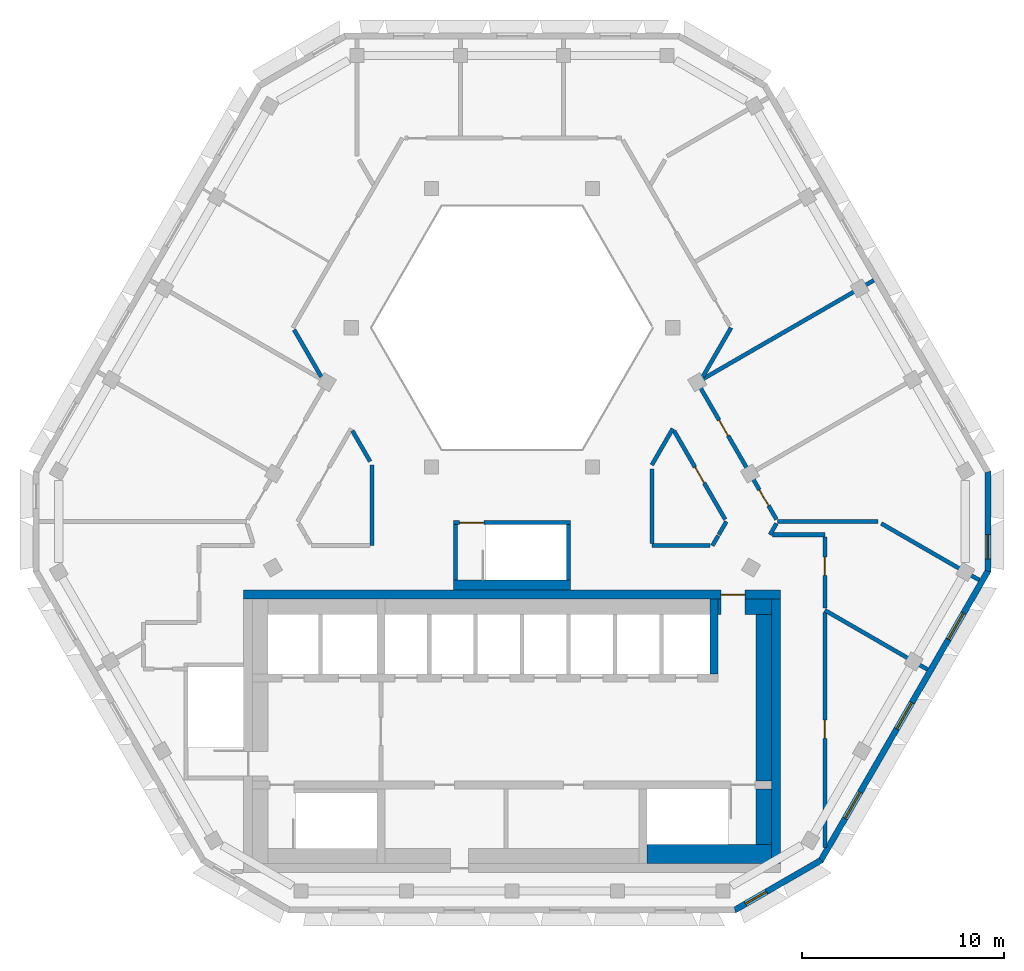
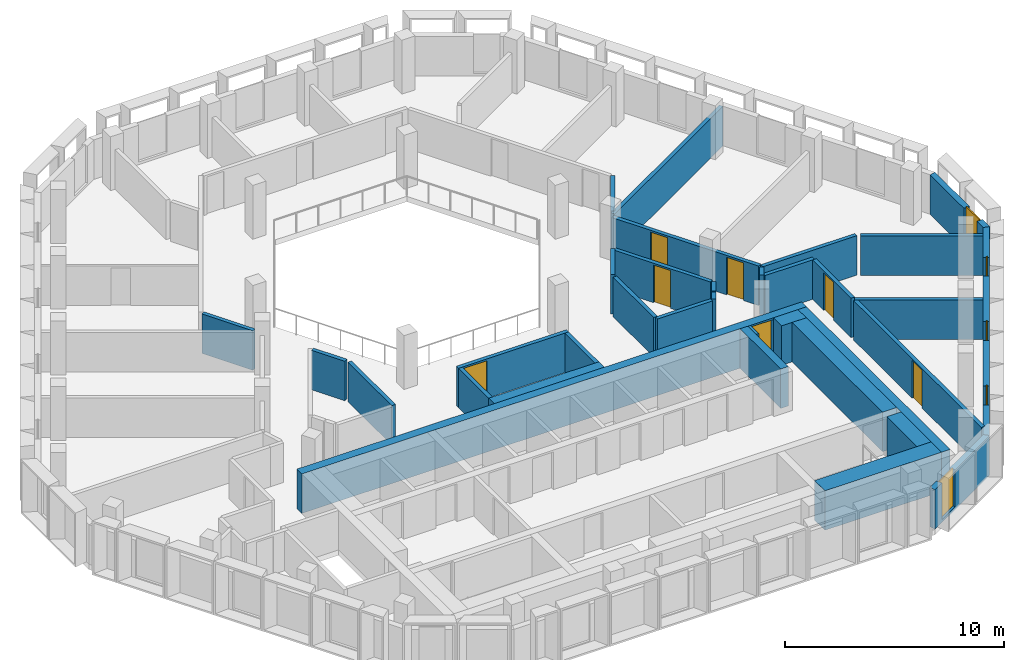
# One storey, part 4 of 7: 34 walls, 7 doors, 5 windows, 12 openings.
"""IFC4 building model written with IfcOpenShell, lengths in metres."""

from ifc_helpers import new_model, si_unit, direction, frame, frame_2d, origin, place, context, subcontext, project, spatial, polyline, rectangle, outline, extrude, material, layer, layer_set, type_object, element, fill, save


model = new_model("IFC4")

# Units and contexts
model_context = context("Model", 3, precision=1e-05, world=origin(), true_north=direction((0.0, 1.0)))
body_context = subcontext(model_context, "Body", "Model", "MODEL_VIEW")
ifc_project = project(units=[si_unit("LENGTHUNIT", "METRE"), si_unit("AREAUNIT", "SQUARE_METRE"), si_unit("VOLUMEUNIT", "CUBIC_METRE"), si_unit("PLANEANGLEUNIT", "RADIAN"), si_unit("MASSUNIT", "GRAM", prefix="KILO")], contexts=[model_context])

# Site, building, storey
site_placement = place(None, origin())
site = spatial("IfcSite", under=ifc_project, at=site_placement, CompositionType="ELEMENT")
building_placement = place(site_placement, origin())
building = spatial("IfcBuilding", under=site, at=building_placement, Name="Beryl Residences", CompositionType="ELEMENT")
storey_placement = place(building_placement, frame((0.0, 0.0, 241.800048828125)))
storey = spatial("IfcBuildingStorey", under=building, at=storey_placement, Name="L75", CompositionType="ELEMENT", Elevation=241.800048828125)

# Wall, opening, window
ifc_material_1 = material(Name="Composite metal panel with mineral wool insulation")
ifc_layer_1 = layer(ifc_material_1, 0.300048828125)
ifc_layer_set_1 = layer_set([ifc_layer_1], Name="ES1 pale metal composite panel wall 300 mm")
wall_type_1 = type_object("IfcWallType", Name="ES1 pale metal composite panel wall 300 mm", PredefinedType="SOLIDWALL", material=ifc_layer_set_1)
wall_1_placement = place(storey_placement, frame((11.010009765625, -20.8701171875, 0.0), z_axis=(0.0, 0.0, 1.0), x_axis=(0.866022959057, 0.500004234368, 0.0)))
wall_1 = element("IfcWall", 1, at=wall_1_placement, inside=storey, type_object=wall_type_1, Name="ES1 external wall L75 S-SE", PredefinedType="SOLIDWALL", context=body_context, shape_type="SweptSolid", body=[
    extrude(outline(polyline([(0.0, -0.14990234375), (5.0, -0.14990234375), (4.919677734375, 0.14990234375), (0.080322265625, 0.14990234375), (0.0, -0.14990234375)])), origin(), (0.0, 0.0, 1.0), 2.199951171875),
])
opening_1_placement = place(wall_1_placement, frame((0.64990234375, 0.0, 0.14990234375)))
opening_1 = element("IfcOpeningElement", 2, at=opening_1_placement, cuts=wall_1, Name="Opening W2", PredefinedType="OPENING", context=body_context, shape_type="SweptSolid", body=[
    extrude(rectangle(XDim=1.199951171875, YDim=2.10009765625, at=frame_2d((0.60009765625, 1.050048828125))), frame((0.0, 0.159912109375, 0.0), z_axis=(0.0, -1.0, 0.0), x_axis=(1.0, 0.0, 0.0)), (0.0, 0.0, 1.0), 0.320068359375),
])
ifc_material_2 = material(Name="Aluminium and clear glass", Category="aluminium")
window_type_1 = type_object("IfcWindowType", Name="W2 chamfer window 1200 x 2100 mm", PartitioningType="SINGLE_PANEL", PredefinedType="WINDOW", material=ifc_material_2)
window_1_placement = place(opening_1_placement, origin())
window_1 = element("IfcWindow", 3, at=window_1_placement, inside=storey, type_object=window_type_1, Name="W2 window L75 S-SE 1", OverallHeight=2.10009765625, OverallWidth=1.199951171875, PartitioningType="SINGLE_PANEL", PredefinedType="WINDOW", context=body_context, shape_type="SweptSolid", body=[
    extrude(rectangle(XDim=1.199951171875, YDim=2.10009765625, at=frame_2d((0.60009765625, 1.050048828125))), frame((0.0, 0.030029296875, 0.0), z_axis=(0.0, -1.0, 0.0), x_axis=(1.0, 0.0, 0.0)), (0.0, 0.0, 1.0), 0.06005859375),
])
fill(opening_1, window_1)

# Wall, openings, windows
wall_2_placement = place(storey_placement, frame((15.284912109375, -18.425048828125, 0.0), z_axis=(0.0, 0.0, 1.0), x_axis=(0.500012653391, 0.866018098222, 0.0)))
wall_2 = element("IfcWall", 4, at=wall_2_placement, inside=storey, type_object=wall_type_1, Name="ES1 external wall L75 SE", PredefinedType="SOLIDWALL", context=body_context, shape_type="SweptSolid", body=[
    extrude(outline(polyline([(0.0, -0.14990234375), (16.6279296875, -0.14990234375), (16.547607421875, 0.14990234375), (0.080322265625, 0.14990234375), (0.0, -0.14990234375)])), origin(), (0.0, 0.0, 1.0), 2.199951171875),
])
opening_2_placement = place(wall_2_placement, frame((2.444091796875, 0.0, 0.14990234375)))
opening_2 = element("IfcOpeningElement", 5, at=opening_2_placement, cuts=wall_2, Name="Opening W1", PredefinedType="OPENING", context=body_context, shape_type="SweptSolid", body=[
    extrude(rectangle(XDim=1.5, YDim=2.10009765625, at=frame_2d((0.75, 1.050048828125))), frame((0.0, 0.159912109375, 0.0), z_axis=(0.0, -1.0, 0.0), x_axis=(1.0, 0.0, 0.0)), (0.0, 0.0, 1.0), 0.320068359375),
])
opening_3_placement = place(wall_2_placement, frame((7.56396484375, 0.0, 0.14990234375)))
opening_3 = element("IfcOpeningElement", 6, at=opening_3_placement, cuts=wall_2, Name="Opening W1", PredefinedType="OPENING", context=body_context, shape_type="SweptSolid", body=[
    extrude(rectangle(XDim=1.5, YDim=2.10009765625, at=frame_2d((0.75, 1.050048828125))), frame((0.0, 0.159912109375, 0.0), z_axis=(0.0, -1.0, 0.0), x_axis=(1.0, 0.0, 0.0)), (0.0, 0.0, 1.0), 0.320068359375),
])
opening_4_placement = place(wall_2_placement, frame((12.681884765625, 0.0, 0.14990234375)))
opening_4 = element("IfcOpeningElement", 7, at=opening_4_placement, cuts=wall_2, Name="Opening W1", PredefinedType="OPENING", context=body_context, shape_type="SweptSolid", body=[
    extrude(rectangle(XDim=1.5, YDim=2.10009765625, at=frame_2d((0.75, 1.050048828125))), frame((0.0, 0.159912109375, 0.0), z_axis=(0.0, -1.0, 0.0), x_axis=(1.0, 0.0, 0.0)), (0.0, 0.0, 1.0), 0.320068359375),
])
ifc_material_3 = material(Name="Aluminium and clear glass", Category="aluminium")
window_type_2 = type_object("IfcWindowType", Name="W1 cell window 1500 x 2100 mm", PartitioningType="SINGLE_PANEL", PredefinedType="WINDOW", material=ifc_material_3)
window_2_placement = place(opening_2_placement, origin())
window_2 = element("IfcWindow", 8, at=window_2_placement, inside=storey, type_object=window_type_2, Name="W1 window L75 SE 2", OverallHeight=2.10009765625, OverallWidth=1.5, PartitioningType="SINGLE_PANEL", PredefinedType="WINDOW", context=body_context, shape_type="SweptSolid", body=[
    extrude(rectangle(XDim=1.5, YDim=2.10009765625, at=frame_2d((0.75, 1.050048828125))), frame((0.0, 0.030029296875, 0.0), z_axis=(0.0, -1.0, 0.0), x_axis=(1.0, 0.0, 0.0)), (0.0, 0.0, 1.0), 0.06005859375),
])
fill(opening_2, window_2)
window_3_placement = place(opening_3_placement, origin())
window_3 = element("IfcWindow", 9, at=window_3_placement, inside=storey, type_object=window_type_2, Name="W1 window L75 SE 4", OverallHeight=2.10009765625, OverallWidth=1.5, PartitioningType="SINGLE_PANEL", PredefinedType="WINDOW", context=body_context, shape_type="SweptSolid", body=[
    extrude(rectangle(XDim=1.5, YDim=2.10009765625, at=frame_2d((0.75, 1.050048828125))), frame((0.0, 0.030029296875, 0.0), z_axis=(0.0, -1.0, 0.0), x_axis=(1.0, 0.0, 0.0)), (0.0, 0.0, 1.0), 0.06005859375),
])
fill(opening_3, window_3)
window_4_placement = place(opening_4_placement, origin())
window_4 = element("IfcWindow", 10, at=window_4_placement, inside=storey, type_object=window_type_2, Name="W1 window L75 SE 6", OverallHeight=2.10009765625, OverallWidth=1.5, PartitioningType="SINGLE_PANEL", PredefinedType="WINDOW", context=body_context, shape_type="SweptSolid", body=[
    extrude(rectangle(XDim=1.5, YDim=2.10009765625, at=frame_2d((0.75, 1.050048828125))), frame((0.0, 0.030029296875, 0.0), z_axis=(0.0, -1.0, 0.0), x_axis=(1.0, 0.0, 0.0)), (0.0, 0.0, 1.0), 0.06005859375),
])
fill(opening_4, window_4)

# Wall, opening, window
wall_3_placement = place(storey_placement, frame((23.5791015625, -4.10009765625, 0.0), z_axis=(0.0, 0.0, 1.0), x_axis=(0.0, 1.0, 0.0)))
wall_3 = element("IfcWall", 11, at=wall_3_placement, inside=storey, type_object=wall_type_1, Name="ES1 external wall L75 SE-NE", PredefinedType="SOLIDWALL", context=body_context, shape_type="SweptSolid", body=[
    extrude(outline(polyline([(0.0, -0.14990234375), (5.0, -0.14990234375), (4.919677734375, 0.14990234375), (0.080322265625, 0.14990234375), (0.0, -0.14990234375)])), origin(), (0.0, 0.0, 1.0), 2.199951171875),
])
opening_5_placement = place(wall_3_placement, frame((0.64990234375, 0.0, 0.14990234375)))
opening_5 = element("IfcOpeningElement", 12, at=opening_5_placement, cuts=wall_3, Name="Opening W2", PredefinedType="OPENING", context=body_context, shape_type="SweptSolid", body=[
    extrude(rectangle(XDim=1.199951171875, YDim=2.10009765625, at=frame_2d((0.60009765625, 1.050048828125))), frame((0.0, 0.159912109375, 0.0), z_axis=(0.0, -1.0, 0.0), x_axis=(1.0, 0.0, 0.0)), (0.0, 0.0, 1.0), 0.320068359375),
])
window_5_placement = place(opening_5_placement, origin())
window_5 = element("IfcWindow", 13, at=window_5_placement, inside=storey, type_object=window_type_1, Name="W2 window L75 SE-NE 1", OverallHeight=2.10009765625, OverallWidth=1.199951171875, PartitioningType="SINGLE_PANEL", PredefinedType="WINDOW", context=body_context, shape_type="SweptSolid", body=[
    extrude(rectangle(XDim=1.199951171875, YDim=2.10009765625, at=frame_2d((0.60009765625, 1.050048828125))), frame((0.0, 0.030029296875, 0.0), z_axis=(0.0, -1.0, 0.0), x_axis=(1.0, 0.0, 0.0)), (0.0, 0.0, 1.0), 0.06005859375),
])
fill(opening_5, window_5)

# Walls
ifc_material_4 = material(Name="Concrete masonry", Category="masonry")
ifc_layer_2 = layer(ifc_material_4, 0.14990234375)
ifc_layer_set_2 = layer_set([ifc_layer_2], Name="PT13-150 lobby wall 150 mm")
wall_type_2 = type_object("IfcWallType", Name="PT13-150 lobby wall 150 mm", PredefinedType="PARTITIONING", material=ifc_layer_set_2)
wall_4_placement = place(storey_placement, frame((10.27490234375, -6.199951171875, 0.0), z_axis=(0.0, 0.0, 1.0), x_axis=(0.0, 1.0, 0.0)))
element("IfcWall", 14, at=wall_4_placement, inside=storey, type_object=wall_type_2, Name="Lobby wall 24", PredefinedType="PARTITIONING", context=body_context, shape_type="SweptSolid", body=[
    extrude(rectangle(XDim=0.75, YDim=0.14990234375, at=frame_2d((0.375, 0.0))), origin(), (0.0, 0.0, 1.0), 2.199951171875),
])
ifc_material_5 = material(Name="Concrete masonry", Category="masonry")
ifc_layer_3 = layer(ifc_material_5, 0.75)
ifc_layer_set_3 = layer_set([ifc_layer_3], Name="PT13-750 lobby wall 750 mm")
wall_type_3 = type_object("IfcWallType", Name="PT13-750 lobby wall 750 mm", PredefinedType="PARTITIONING", material=ifc_layer_set_3)
wall_5_placement = place(storey_placement, frame((11.550048828125, -5.824951171875, 0.0), z_axis=(0.0, 0.0, 1.0), x_axis=(1.0, 0.0, 0.0)))
element("IfcWall", 15, at=wall_5_placement, inside=storey, type_object=wall_type_3, Name="Lobby wall 25", PredefinedType="PARTITIONING", context=body_context, shape_type="SweptSolid", body=[
    extrude(rectangle(XDim=1.300048828125, YDim=0.75, at=frame_2d((0.64990234375, 0.0))), origin(), (0.0, 0.0, 1.0), 2.199951171875),
])
wall_6_placement = place(storey_placement, frame((12.47509765625, -14.449951171875, 0.0), z_axis=(0.0, 0.0, 1.0), x_axis=(0.0, 1.0, 0.0)))
element("IfcWall", 16, at=wall_6_placement, inside=storey, type_object=wall_type_3, Name="Lobby wall 27", PredefinedType="PARTITIONING", context=body_context, shape_type="SweptSolid", body=[
    extrude(rectangle(XDim=8.25, YDim=0.75, at=frame_2d((4.125, 0.0))), origin(), (0.0, 0.0, 1.0), 2.199951171875),
])
ifc_material_6 = material(Name="Acoustic double stud gypsum board wall")
ifc_layer_4 = layer(ifc_material_6, 0.199951171875)
ifc_layer_set_4 = layer_set([ifc_layer_4], Name="PT3 party wall 200 mm acoustic double stud")
wall_type_4 = type_object("IfcWallType", Name="PT3 party wall 200 mm acoustic double stud", PredefinedType="PARTITIONING", material=ifc_layer_set_4)
wall_7_placement = place(storey_placement, frame((18.299072265625, -1.698974609375, 0.0), z_axis=(0.0, 0.0, 1.0), x_axis=(0.865962789554, -0.50010843535, 0.0)))
element("IfcWall", 17, at=wall_7_placement, inside=storey, type_object=wall_type_4, Name="Wall PT3 L75 004", PredefinedType="PARTITIONING", context=body_context, shape_type="SweptSolid", body=[
    extrude(rectangle(XDim=5.602783203125, YDim=0.199951171875, at=frame_2d((2.80126953125, 0.0))), origin(), (0.0, 0.0, 1.0), 2.199951171875),
])
wall_8_placement = place(storey_placement, frame((15.5, -5.9951171875, 0.0), z_axis=(0.0, 0.0, 1.0), x_axis=(0.866052111102, -0.499953738716, 0.0)))
element("IfcWall", 18, at=wall_8_placement, inside=storey, type_object=wall_type_4, Name="Wall PT3 L75 005", PredefinedType="PARTITIONING", context=body_context, shape_type="SweptSolid", body=[
    extrude(rectangle(XDim=5.87841796875, YDim=0.199951171875, at=frame_2d((2.939208984375, 0.0))), origin(), (0.0, 0.0, 1.0), 2.199951171875),
])
wall_9_placement = place(storey_placement, frame((13.1630859375, -1.59912109375, 0.0), z_axis=(0.0, 0.0, 1.0), x_axis=(1.0, 0.0, 0.0)))
element("IfcWall", 19, at=wall_9_placement, inside=storey, type_object=wall_type_4, Name="Wall PT3 L75 007", PredefinedType="PARTITIONING", context=body_context, shape_type="SweptSolid", body=[
    extrude(rectangle(XDim=4.9619140625, YDim=0.199951171875, at=frame_2d((2.48095703125, 0.0))), origin(), (0.0, 0.0, 1.0), 2.199951171875),
])
wall_10_placement = place(storey_placement, frame((9.35400390625, 5.40087890625, 0.0), z_axis=(0.0, 0.0, 1.0), x_axis=(0.866018411306, 0.500012111133, 0.0)))
element("IfcWall", 20, at=wall_10_placement, inside=storey, type_object=wall_type_4, Name="Wall PT3 L75 014", PredefinedType="PARTITIONING", context=body_context, shape_type="SweptSolid", body=[
    extrude(rectangle(XDim=9.898193359375, YDim=0.199951171875, at=frame_2d((4.94921875, 0.0))), origin(), (0.0, 0.0, 1.0), 2.199951171875),
])
ifc_material_7 = material(Name="Double stud gypsum board wall")
ifc_layer_5 = layer(ifc_material_7, 0.199951171875)
ifc_layer_set_5 = layer_set([ifc_layer_5], Name="PT4 corridor wall 200 mm double stud")
wall_type_5 = type_object("IfcWallType", Name="PT4 corridor wall 200 mm double stud", PredefinedType="PARTITIONING", material=ifc_layer_set_5)
wall_11_placement = place(storey_placement, frame((-10.7958984375, 7.89990234375, 0.0), z_axis=(0.0, 0.0, 1.0), x_axis=(0.499698840221, -0.866199208659, 0.0)))
element("IfcWall", 21, at=wall_11_placement, inside=storey, type_object=wall_type_5, Name="Wall PT4 L75 001", PredefinedType="PARTITIONING", context=body_context, shape_type="SweptSolid", body=[
    extrude(rectangle(XDim=2.685302734375, YDim=0.199951171875, at=frame_2d((1.3427734375, 0.0))), origin(), (0.0, 0.0, 1.0), 2.199951171875),
])
wall_12_placement = place(storey_placement, frame((-7.908935546875, 2.89794921875, 0.0), z_axis=(0.0, 0.0, 1.0), x_axis=(0.50019444547, -0.865913111531, 0.0)))
element("IfcWall", 22, at=wall_12_placement, inside=storey, type_object=wall_type_5, Name="Wall PT4 L75 002", PredefinedType="PARTITIONING", context=body_context, shape_type="SweptSolid", body=[
    extrude(rectangle(XDim=1.760986328125, YDim=0.199951171875, at=frame_2d((0.88037109375, 0.0))), origin(), (0.0, 0.0, 1.0), 2.199951171875),
])

# Wall, opening, door
wall_13_placement = place(storey_placement, frame((8.02587890625, 2.89892578125, 0.0), z_axis=(0.0, 0.0, 1.0), x_axis=(0.499986018985, -0.866033475577, 0.0)))
wall_13 = element("IfcWall", 23, at=wall_13_placement, inside=storey, type_object=wall_type_5, Name="Wall PT4 L75 006", PredefinedType="PARTITIONING", context=body_context, shape_type="SweptSolid", body=[
    extrude(rectangle(XDim=5.078369140625, YDim=0.199951171875, at=frame_2d((2.5390625, 0.0))), origin(), (0.0, 0.0, 1.0), 2.199951171875),
])
opening_6_placement = place(wall_13_placement, frame((2.089111328125, 0.0, 0.0)))
opening_6 = element("IfcOpeningElement", 24, at=opening_6_placement, cuts=wall_13, Name="Opening D2317", PredefinedType="OPENING", context=body_context, shape_type="SweptSolid", body=[
    extrude(rectangle(XDim=0.89990234375, YDim=2.10009765625, at=frame_2d((0.449951171875, 1.050048828125))), frame((0.0, 0.10986328125, 0.0), z_axis=(0.0, -1.0, 0.0), x_axis=(1.0, 0.0, 0.0)), (0.0, 0.0, 1.0), 0.219970703125),
])
ifc_material_8 = material(Name="Timber door leaf", Category="wood")
door_type_1 = type_object("IfcDoorType", Name="D2 room door 900 x 2100 mm", OperationType="SINGLE_SWING_LEFT", PredefinedType="DOOR", material=ifc_material_8)
door_1_placement = place(opening_6_placement, origin())
door_1 = element("IfcDoor", 25, at=door_1_placement, inside=storey, type_object=door_type_1, Name="Door D2317 L75 001", OperationType="SINGLE_SWING_LEFT", OverallHeight=2.10009765625, OverallWidth=0.89990234375, PredefinedType="DOOR", context=body_context, shape_type="SweptSolid", body=[
    extrude(rectangle(XDim=0.89990234375, YDim=2.10009765625, at=frame_2d((0.449951171875, 1.050048828125))), frame((0.0, 0.02490234375, 0.0), z_axis=(0.0, -1.0, 0.0), x_axis=(1.0, 0.0, 0.0)), (0.0, 0.0, 1.0), 0.050048828125),
])
fill(opening_6, door_1)

# Wall, openings, doors
wall_14_placement = place(storey_placement, frame((9.238037109375, 5.199951171875, 0.0), z_axis=(0.0, 0.0, 1.0), x_axis=(0.500025705601, -0.86601056214, 0.0)))
wall_14 = element("IfcWall", 26, at=wall_14_placement, inside=storey, type_object=wall_type_5, Name="Wall PT4 L75 007", PredefinedType="PARTITIONING", context=body_context, shape_type="SweptSolid", body=[
    extrude(rectangle(XDim=7.7353515625, YDim=0.199951171875, at=frame_2d((3.86767578125, 0.0))), origin(), (0.0, 0.0, 1.0), 2.199951171875),
])
opening_7_placement = place(wall_14_placement, frame((6.044921875, 0.0, 0.0)))
opening_7 = element("IfcOpeningElement", 27, at=opening_7_placement, cuts=wall_14, Name="Opening D2310", PredefinedType="OPENING", context=body_context, shape_type="SweptSolid", body=[
    extrude(rectangle(XDim=0.89990234375, YDim=2.10009765625, at=frame_2d((0.449951171875, 1.050048828125))), frame((0.0, 0.10986328125, 0.0), z_axis=(0.0, -1.0, 0.0), x_axis=(1.0, 0.0, 0.0)), (0.0, 0.0, 1.0), 0.219970703125),
])
opening_8_placement = place(wall_14_placement, frame((2.0458984375, 0.0, 0.0)))
opening_8 = element("IfcOpeningElement", 28, at=opening_8_placement, cuts=wall_14, Name="Opening D2311", PredefinedType="OPENING", context=body_context, shape_type="SweptSolid", body=[
    extrude(rectangle(XDim=0.89990234375, YDim=2.10009765625, at=frame_2d((0.449951171875, 1.050048828125))), frame((0.0, 0.10986328125, 0.0), z_axis=(0.0, -1.0, 0.0), x_axis=(1.0, 0.0, 0.0)), (0.0, 0.0, 1.0), 0.219970703125),
])
door_2_placement = place(opening_7_placement, origin())
door_2 = element("IfcDoor", 29, at=door_2_placement, inside=storey, type_object=door_type_1, Name="Door D2310 L75 001", OperationType="SINGLE_SWING_RIGHT", OverallHeight=2.10009765625, OverallWidth=0.89990234375, PredefinedType="DOOR", context=body_context, shape_type="SweptSolid", body=[
    extrude(rectangle(XDim=0.89990234375, YDim=2.10009765625, at=frame_2d((0.449951171875, 1.050048828125))), frame((0.0, 0.02490234375, 0.0), z_axis=(0.0, -1.0, 0.0), x_axis=(1.0, 0.0, 0.0)), (0.0, 0.0, 1.0), 0.050048828125),
])
fill(opening_7, door_2)
door_3_placement = place(opening_8_placement, origin())
door_3 = element("IfcDoor", 30, at=door_3_placement, inside=storey, type_object=door_type_1, Name="Door D2311 L75 001", OperationType="SINGLE_SWING_LEFT", OverallHeight=2.10009765625, OverallWidth=0.89990234375, PredefinedType="DOOR", context=body_context, shape_type="SweptSolid", body=[
    extrude(rectangle(XDim=0.89990234375, YDim=2.10009765625, at=frame_2d((0.449951171875, 1.050048828125))), frame((0.0, 0.02490234375, 0.0), z_axis=(0.0, -1.0, 0.0), x_axis=(1.0, 0.0, 0.0)), (0.0, 0.0, 1.0), 0.050048828125),
])
fill(opening_8, door_3)

# Wall
wall_15_placement = place(storey_placement, frame((6.927978515625, 1.0, 0.0), z_axis=(0.0, 0.0, 1.0), x_axis=(0.0, -1.0, 0.0)))
element("IfcWall", 31, at=wall_15_placement, inside=storey, type_object=wall_type_5, Name="Wall PT4 L75 010", PredefinedType="PARTITIONING", context=body_context, shape_type="SweptSolid", body=[
    extrude(rectangle(XDim=3.698974609375, YDim=0.199951171875, at=frame_2d((1.849609375, 0.0))), origin(), (0.0, 0.0, 1.0), 2.199951171875),
])

# Wall, opening, door
wall_16_placement = place(storey_placement, frame((15.5, -2.35693359375, 0.0), z_axis=(0.0, 0.0, 1.0), x_axis=(0.0, -1.0, 0.0)))
wall_16 = element("IfcWall", 32, at=wall_16_placement, inside=storey, type_object=wall_type_5, Name="Wall PT4 L75 011", PredefinedType="PARTITIONING", context=body_context, shape_type="SweptSolid", body=[
    extrude(rectangle(XDim=3.52197265625, YDim=0.199951171875, at=frame_2d((1.760986328125, 0.0))), origin(), (0.0, 0.0, 1.0), 2.199951171875),
])
opening_9_placement = place(wall_16_placement, frame((1.008056640625, 0.0, 0.0)))
opening_9 = element("IfcOpeningElement", 33, at=opening_9_placement, cuts=wall_16, Name="Opening D2309", PredefinedType="OPENING", context=body_context, shape_type="SweptSolid", body=[
    extrude(rectangle(XDim=0.89990234375, YDim=2.10009765625, at=frame_2d((0.449951171875, 1.050048828125))), frame((0.0, 0.10986328125, 0.0), z_axis=(0.0, -1.0, 0.0), x_axis=(1.0, 0.0, 0.0)), (0.0, 0.0, 1.0), 0.219970703125),
])
door_4_placement = place(opening_9_placement, origin())
door_4 = element("IfcDoor", 34, at=door_4_placement, inside=storey, type_object=door_type_1, Name="Door D2309 L75 001", OperationType="SINGLE_SWING_LEFT", OverallHeight=2.10009765625, OverallWidth=0.89990234375, PredefinedType="DOOR", context=body_context, shape_type="SweptSolid", body=[
    extrude(rectangle(XDim=0.89990234375, YDim=2.10009765625, at=frame_2d((0.449951171875, 1.050048828125))), frame((0.0, 0.02490234375, 0.0), z_axis=(0.0, -1.0, 0.0), x_axis=(1.0, 0.0, 0.0)), (0.0, 0.0, 1.0), 0.050048828125),
])
fill(opening_9, door_4)

# Walls
wall_17_placement = place(storey_placement, frame((12.902099609375, -2.256103515625, 0.0), z_axis=(0.0, 0.0, 1.0), x_axis=(1.0, 0.0, 0.0)))
element("IfcWall", 35, at=wall_17_placement, inside=storey, type_object=wall_type_5, Name="Wall PT4 L75 015", PredefinedType="PARTITIONING", context=body_context, shape_type="SweptSolid", body=[
    extrude(rectangle(XDim=2.596923828125, YDim=0.199951171875, at=frame_2d((1.29833984375, 0.0))), origin(), (0.0, 0.0, 1.0), 2.199951171875),
])
wall_18_placement = place(storey_placement, frame((6.928955078125, -2.800048828125, 0.0), z_axis=(0.0, 0.0, 1.0), x_axis=(1.0, 0.0, 0.0)))
element("IfcWall", 36, at=wall_18_placement, inside=storey, type_object=wall_type_5, Name="Wall PT4 L75 018", PredefinedType="PARTITIONING", context=body_context, shape_type="SweptSolid", body=[
    extrude(rectangle(XDim=2.885009765625, YDim=0.199951171875, at=frame_2d((1.4423828125, 0.0))), origin(), (0.0, 0.0, 1.0), 2.199951171875),
])
wall_19_placement = place(storey_placement, frame((6.927978515625, 1.199951171875, 0.0), z_axis=(0.0, 0.0, 1.0), x_axis=(0.500132712588, 0.865948768577, 0.0)))
element("IfcWall", 37, at=wall_19_placement, inside=storey, type_object=wall_type_5, Name="Wall PT4 L75 020", PredefinedType="PARTITIONING", context=body_context, shape_type="SweptSolid", body=[
    extrude(rectangle(XDim=2.07763671875, YDim=0.199951171875, at=frame_2d((1.038818359375, 0.0))), origin(), (0.0, 0.0, 1.0), 2.199951171875),
])
wall_20_placement = place(storey_placement, frame((9.4541015625, 5.573974609375, 0.0), z_axis=(0.0, 0.0, 1.0), x_axis=(0.499795394297, 0.86614350072, 0.0)))
element("IfcWall", 38, at=wall_20_placement, inside=storey, type_object=wall_type_5, Name="Wall PT4 L75 021", PredefinedType="PARTITIONING", context=body_context, shape_type="SweptSolid", body=[
    extrude(rectangle(XDim=2.801025390625, YDim=0.199951171875, at=frame_2d((1.400390625, 0.0))), origin(), (0.0, 0.0, 1.0), 2.199951171875),
])
wall_21_placement = place(storey_placement, frame((9.929931640625, -2.800048828125, 0.0), z_axis=(0.0, 0.0, 1.0), x_axis=(0.500164219654, 0.865930570761, 0.0)))
element("IfcWall", 39, at=wall_21_placement, inside=storey, type_object=wall_type_5, Name="Wall PT4 L75 022", PredefinedType="PARTITIONING", context=body_context, shape_type="SweptSolid", body=[
    extrude(rectangle(XDim=0.573974609375, YDim=0.199951171875, at=frame_2d((0.287109375, 0.0))), origin(), (0.0, 0.0, 1.0), 2.199951171875),
])
wall_22_placement = place(storey_placement, frame((10.243896484375, -2.2548828125, 0.0), z_axis=(0.0, 0.0, 1.0), x_axis=(0.50109986513, 0.865389464442, 0.0)))
element("IfcWall", 40, at=wall_22_placement, inside=storey, type_object=wall_type_5, Name="Wall PT4 L75 023", PredefinedType="PARTITIONING", context=body_context, shape_type="SweptSolid", body=[
    extrude(rectangle(XDim=0.756591796875, YDim=0.199951171875, at=frame_2d((0.37841796875, 0.0))), origin(), (0.0, 0.0, 1.0), 2.199951171875),
])
wall_23_placement = place(storey_placement, frame((12.784912109375, -2.25390625, 0.0), z_axis=(0.0, 0.0, 1.0), x_axis=(0.500766044352, 0.865582675903, 0.0)))
element("IfcWall", 41, at=wall_23_placement, inside=storey, type_object=wall_type_5, Name="Wall PT4 L75 024", PredefinedType="PARTITIONING", context=body_context, shape_type="SweptSolid", body=[
    extrude(rectangle(XDim=0.64111328125, YDim=0.199951171875, at=frame_2d((0.320556640625, 0.0))), origin(), (0.0, 0.0, 1.0), 2.199951171875),
])

# Wall, opening, door
wall_24_placement = place(storey_placement, frame((15.5, -17.751953125, 0.0), z_axis=(0.0, 0.0, 1.0), x_axis=(0.0, 1.0, 0.0)))
wall_24 = element("IfcWall", 42, at=wall_24_placement, inside=storey, type_object=wall_type_5, Name="Wall PT4 L75 028", PredefinedType="PARTITIONING", context=body_context, shape_type="SweptSolid", body=[
    extrude(rectangle(XDim=11.641845703125, YDim=0.199951171875, at=frame_2d((5.82080078125, 0.0))), origin(), (0.0, 0.0, 1.0), 2.199951171875),
])
opening_10_placement = place(wall_24_placement, frame((5.410888671875, 0.0, 0.0)))
opening_10 = element("IfcOpeningElement", 43, at=opening_10_placement, cuts=wall_24, Name="Opening D2308", PredefinedType="OPENING", context=body_context, shape_type="SweptSolid", body=[
    extrude(rectangle(XDim=0.89990234375, YDim=2.10009765625, at=frame_2d((0.449951171875, 1.050048828125))), frame((0.0, 0.10986328125, 0.0), z_axis=(0.0, -1.0, 0.0), x_axis=(1.0, 0.0, 0.0)), (0.0, 0.0, 1.0), 0.219970703125),
])
door_5_placement = place(opening_10_placement, origin())
door_5 = element("IfcDoor", 44, at=door_5_placement, inside=storey, type_object=door_type_1, Name="Door D2308 L75 001", OperationType="SINGLE_SWING_RIGHT", OverallHeight=2.10009765625, OverallWidth=0.89990234375, PredefinedType="DOOR", context=body_context, shape_type="SweptSolid", body=[
    extrude(rectangle(XDim=0.89990234375, YDim=2.10009765625, at=frame_2d((0.449951171875, 1.050048828125))), frame((0.0, 0.02490234375, 0.0), z_axis=(0.0, -1.0, 0.0), x_axis=(1.0, 0.0, 0.0)), (0.0, 0.0, 1.0), 0.050048828125),
])
fill(opening_10, door_5)

# Wall
wall_25_placement = place(storey_placement, frame((-6.927978515625, -2.799072265625, 0.0), z_axis=(0.0, 0.0, 1.0), x_axis=(0.0, 1.0, 0.0)))
element("IfcWall", 45, at=wall_25_placement, inside=storey, type_object=wall_type_5, Name="Wall PT4 L75 029", PredefinedType="PARTITIONING", context=body_context, shape_type="SweptSolid", body=[
    extrude(rectangle(XDim=3.9990234375, YDim=0.199951171875, at=frame_2d((1.99951171875, 0.0))), origin(), (0.0, 0.0, 1.0), 2.199951171875),
])

# Wall, opening, door
ifc_material_9 = material(Name="Concrete C40/50", Category="concrete")
ifc_layer_6 = layer(ifc_material_9, 0.199951171875)
ifc_layer_set_6 = layer_set([ifc_layer_6], Name="PT5 stair enclosure wall 200 mm reinforced concrete C40/50")
wall_type_6 = type_object("IfcWallType", Name="PT5 stair enclosure wall 200 mm reinforced concrete C40/50", PredefinedType="SOLIDWALL", material=ifc_layer_set_6)
wall_26_placement = place(storey_placement, frame((-2.89990234375, -1.64990234375, 0.0), z_axis=(0.0, 0.0, 1.0), x_axis=(1.0, 0.0, 0.0)))
wall_26 = element("IfcWall", 46, at=wall_26_placement, inside=storey, type_object=wall_type_6, Name="Wall PT5 L75 001", PredefinedType="SOLIDWALL", context=body_context, shape_type="SweptSolid", body=[
    extrude(rectangle(XDim=5.7998046875, YDim=0.199951171875, at=frame_2d((2.89990234375, 0.0))), origin(), (0.0, 0.0, 1.0), 2.199951171875),
])
opening_11_placement = place(wall_26_placement, frame((0.300048828125, 0.0, 0.0)))
opening_11 = element("IfcOpeningElement", 47, at=opening_11_placement, cuts=wall_26, Name="Opening DS04", PredefinedType="OPENING", context=body_context, shape_type="SweptSolid", body=[
    extrude(rectangle(XDim=1.199951171875, YDim=2.10009765625, at=frame_2d((0.60009765625, 1.050048828125))), frame((0.0, 0.10986328125, 0.0), z_axis=(0.0, -1.0, 0.0), x_axis=(1.0, 0.0, 0.0)), (0.0, 0.0, 1.0), 0.219970703125),
])
ifc_material_10 = material(Name="Steel door leaf in steel frame", Category="steel")
door_type_2 = type_object("IfcDoorType", Name="D4 stair door 1200 x 2100 mm", OperationType="SINGLE_SWING_LEFT", PredefinedType="DOOR", material=ifc_material_10)
door_6_placement = place(opening_11_placement, origin())
door_6 = element("IfcDoor", 48, at=door_6_placement, inside=storey, type_object=door_type_2, Name="Door DS04 L75 001", OperationType="SINGLE_SWING_LEFT", OverallHeight=2.10009765625, OverallWidth=1.199951171875, PredefinedType="DOOR", context=body_context, shape_type="SweptSolid", body=[
    extrude(rectangle(XDim=1.199951171875, YDim=2.10009765625, at=frame_2d((0.60009765625, 1.050048828125))), frame((0.0, 0.02490234375, 0.0), z_axis=(0.0, -1.0, 0.0), x_axis=(1.0, 0.0, 0.0)), (0.0, 0.0, 1.0), 0.050048828125),
])
fill(opening_11, door_6)

# Walls
for number, where, z_axis, x_axis, name in (
    (49, (-2.800048828125, -4.5, 0.0), (0.0, 0.0, 1.0), (0.0, 1.0, 0.0), "Wall PT5 L75 002"),
    (50, (2.800048828125, -4.5, 0.0), (0.0, 0.0, 1.0), (0.0, 1.0, 0.0), "Wall PT5 L75 003"),
):
    element("IfcWall", number, at=place(storey_placement, frame(where, z_axis=z_axis, x_axis=x_axis)), inside=storey, type_object=wall_type_6, Name=name, PredefinedType="SOLIDWALL", context=body_context, shape_type="SweptSolid", body=[
        extrude(rectangle(XDim=2.75, YDim=0.199951171875, at=frame_2d((1.375, 0.0))), origin(), (0.0, 0.0, 1.0), 2.199951171875),
    ])
ifc_material_11 = material(Name="Concrete C40/50", Category="concrete")
ifc_layer_7 = layer(ifc_material_11, 0.5)
ifc_layer_set_7 = layer_set([ifc_layer_7], Name="PT5-500 stair enclosure wall 500 mm")
wall_type_7 = type_object("IfcWallType", Name="PT5-500 stair enclosure wall 500 mm", PredefinedType="SOLIDWALL", material=ifc_layer_set_7)
wall_27_placement = place(storey_placement, frame((-2.89990234375, -4.75, 0.0), z_axis=(0.0, 0.0, 1.0), x_axis=(1.0, 0.0, 0.0)))
element("IfcWall", 51, at=wall_27_placement, inside=storey, type_object=wall_type_7, Name="Wall PT5-500 L75 001", PredefinedType="SOLIDWALL", context=body_context, shape_type="SweptSolid", body=[
    extrude(rectangle(XDim=5.7998046875, YDim=0.5, at=frame_2d((2.89990234375, 0.0))), origin(), (0.0, 0.0, 1.0), 2.199951171875),
])
ifc_material_12 = material(Name="Concrete C40/50", Category="concrete")
ifc_layer_8 = layer(ifc_material_12, 0.75)
ifc_layer_set_8 = layer_set([ifc_layer_8], Name="PT5-750 stair enclosure wall 750 mm")
wall_type_8 = type_object("IfcWallType", Name="PT5-750 stair enclosure wall 750 mm", PredefinedType="SOLIDWALL", material=ifc_layer_set_8)
wall_28_placement = place(storey_placement, frame((12.47509765625, -17.60009765625, 0.0), z_axis=(0.0, 0.0, 1.0), x_axis=(0.0, 1.0, 0.0)))
element("IfcWall", 52, at=wall_28_placement, inside=storey, type_object=wall_type_8, Name="Stair wall 26", PredefinedType="SOLIDWALL", context=body_context, shape_type="SweptSolid", body=[
    extrude(rectangle(XDim=2.75, YDim=0.75, at=frame_2d((1.375, 0.0))), origin(), (0.0, 0.0, 1.0), 2.199951171875),
])
ifc_material_13 = material(Name="Concrete C40/50", Category="concrete")
ifc_layer_9 = layer(ifc_material_13, 0.949951171875)
ifc_layer_set_9 = layer_set([ifc_layer_9], Name="PT5-950 stair enclosure wall 950 mm")
wall_type_9 = type_object("IfcWallType", Name="PT5-950 stair enclosure wall 950 mm", PredefinedType="SOLIDWALL", material=ifc_layer_set_9)
wall_29_placement = place(storey_placement, frame((6.699951171875, -18.074951171875, 0.0), z_axis=(0.0, 0.0, 1.0), x_axis=(1.0, 0.0, 0.0)))
element("IfcWall", 53, at=wall_29_placement, inside=storey, type_object=wall_type_9, Name="Stair wall 22", PredefinedType="SOLIDWALL", context=body_context, shape_type="SweptSolid", body=[
    extrude(rectangle(XDim=6.150146484375, YDim=0.949951171875, at=frame_2d((3.0751953125, 0.0))), origin(), (0.0, 0.0, 1.0), 2.199951171875),
])
ifc_material_14 = material(Name="Concrete C50/60", Category="concrete")
ifc_layer_10 = layer(ifc_material_14, 0.39990234375)
ifc_layer_set_10 = layer_set([ifc_layer_10], Name="SW10 core internal wall 400 mm C50/60")
wall_type_10 = type_object("IfcWallType", Name="SW10 core internal wall 400 mm C50/60", PredefinedType="SHEAR", material=ifc_layer_set_10)
wall_30_placement = place(storey_placement, frame((10.0, -9.14990234375, 0.0), z_axis=(0.0, 0.0, 1.0), x_axis=(0.0, 1.0, 0.0)))
element("IfcWall", 54, at=wall_30_placement, inside=storey, type_object=wall_type_10, Name="Core wall XN2 L75", PredefinedType="SHEAR", context=body_context, shape_type="SweptSolid", body=[
    extrude(rectangle(XDim=3.699951171875, YDim=0.39990234375, at=frame_2d((1.85009765625, 0.0))), origin(), (0.0, 0.0, 1.0), 2.199951171875),
])

# Wall, opening, door
ifc_material_15 = material(Name="Concrete C50/60", Category="concrete")
ifc_layer_11 = layer(ifc_material_15, 0.449951171875)
ifc_layer_set_11 = layer_set([ifc_layer_11], Name="SW5 core outer wall 450 mm C50/60")
wall_type_11 = type_object("IfcWallType", Name="SW5 core outer wall 450 mm C50/60", PredefinedType="SHEAR", material=ifc_layer_set_11)
wall_31_placement = place(storey_placement, frame((-13.300048828125, -5.22509765625, 0.0), z_axis=(0.0, 0.0, 1.0), x_axis=(1.0, 0.0, 0.0)))
wall_31 = element("IfcWall", 55, at=wall_31_placement, inside=storey, type_object=wall_type_11, Name="Core wall N L75", PredefinedType="SHEAR", context=body_context, shape_type="SweptSolid", body=[
    extrude(rectangle(XDim=26.60009765625, YDim=0.449951171875, at=frame_2d((13.300048828125, 0.0))), origin(), (0.0, 0.0, 1.0), 2.199951171875),
])
opening_12_placement = place(wall_31_placement, frame((23.64990234375, 0.0, 0.0)))
opening_12 = element("IfcOpeningElement", 56, at=opening_12_placement, cuts=wall_31, Name="Opening FD-NORTH", PredefinedType="OPENING", context=body_context, shape_type="SweptSolid", body=[
    extrude(rectangle(XDim=1.199951171875, YDim=2.10009765625, at=frame_2d((0.60009765625, 1.050048828125))), frame((0.0, 0.23486328125, 0.0), z_axis=(0.0, -1.0, 0.0), x_axis=(1.0, 0.0, 0.0)), (0.0, 0.0, 1.0), 0.469970703125),
])
ifc_material_16 = material(Name="Steel door leaf in steel frame", Category="steel")
door_type_3 = type_object("IfcDoorType", Name="D22 lobby door 1200 x 2100 mm", OperationType="DOUBLE_DOOR_SINGLE_SWING", PredefinedType="DOOR", material=ifc_material_16)
door_7_placement = place(opening_12_placement, origin())
door_7 = element("IfcDoor", 57, at=door_7_placement, inside=storey, type_object=door_type_3, Name="Door FD-NORTH L75 001", OperationType="DOUBLE_DOOR_SINGLE_SWING", OverallHeight=2.10009765625, OverallWidth=1.199951171875, PredefinedType="DOOR", context=body_context, shape_type="SweptSolid", body=[
    extrude(rectangle(XDim=1.199951171875, YDim=2.10009765625, at=frame_2d((0.60009765625, 1.050048828125))), frame((0.0, 0.02490234375, 0.0), z_axis=(0.0, -1.0, 0.0), x_axis=(1.0, 0.0, 0.0)), (0.0, 0.0, 1.0), 0.050048828125),
])
fill(opening_12, door_7)

# Wall
wall_32_placement = place(storey_placement, frame((13.074951171875, -18.550048828125, 0.0), z_axis=(0.0, 0.0, 1.0), x_axis=(0.0, 1.0, 0.0)))
element("IfcWall", 58, at=wall_32_placement, inside=storey, type_object=wall_type_11, Name="Core wall E L75", PredefinedType="SHEAR", context=body_context, shape_type="SweptSolid", body=[
    extrude(rectangle(XDim=13.10009765625, YDim=0.449951171875, at=frame_2d((6.550048828125, 0.0))), origin(), (0.0, 0.0, 1.0), 2.199951171875),
])

save(model, "model.ifc")
